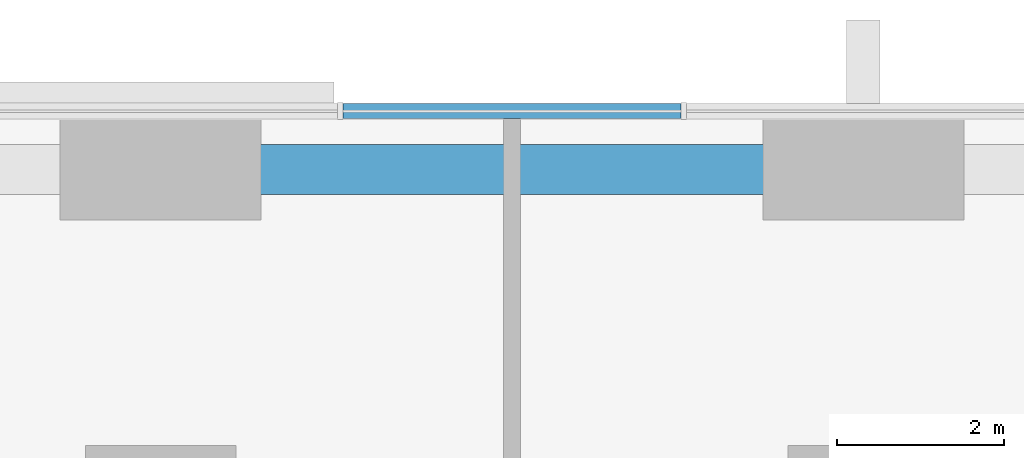
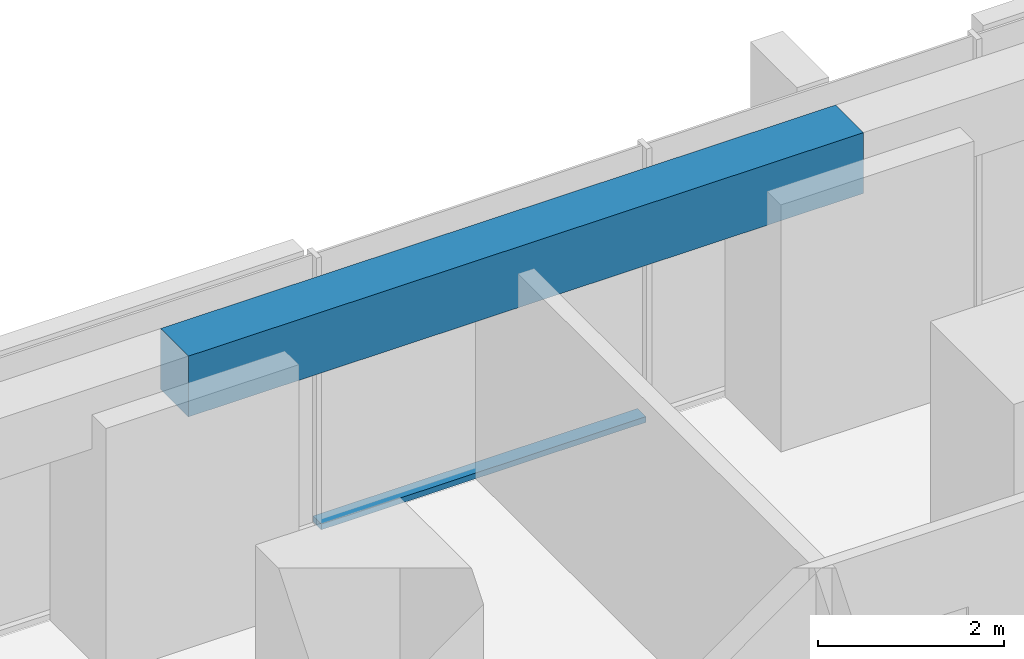
# One storey, part 7 of 17: 1 beam, 1 member, 1 element without a shape of its own.
"""IFC4 building model written with IfcOpenShell, lengths in metres."""

from ifc_helpers import new_model, si_unit, direction, frame, origin, origin_2d, place, context, subcontext, project, spatial, rectangle, extrude, material, material_profile, profile_set, type_object, element, aggregate, save


model = new_model("IFC4")

# Units and contexts
model_context = context("Model", 3, precision=1e-05, world=origin(), true_north=direction((0.0, 1.0)))
body_context = subcontext(model_context, "Body", "Model", "MODEL_VIEW")
ifc_project = project(units=[si_unit("LENGTHUNIT", "METRE"), si_unit("AREAUNIT", "SQUARE_METRE"), si_unit("VOLUMEUNIT", "CUBIC_METRE"), si_unit("PLANEANGLEUNIT", "RADIAN"), si_unit("MASSUNIT", "GRAM", prefix="KILO")], contexts=[model_context])

# Site, building, storey
site_placement = place(None, origin())
site = spatial("IfcSite", under=ifc_project, at=site_placement, CompositionType="ELEMENT")
building_placement = place(site_placement, origin())
building = spatial("IfcBuilding", under=site, at=building_placement, Name="Dunama Terrace Hotel", CompositionType="ELEMENT")
storey_placement = place(building_placement, frame((0.0, 0.0, 41.39990234375)))
storey = spatial("IfcBuildingStorey", under=building, at=storey_placement, Name="L09", CompositionType="ELEMENT", Elevation=41.39990234375)

# Curtain wall, member
ifc_material_1 = material(Name="Aluminium curtain wall system", Category="aluminium")
curtain_wall_type = type_object("IfcCurtainWallType", Name="Unitised fritted glass wall CW-A", PredefinedType="NOTDEFINED", material=ifc_material_1)
curtain_wall_placement = place(storey_placement, origin())
curtain_wall = element("IfcCurtainWall", 1, at=curtain_wall_placement, inside=storey, type_object=curtain_wall_type, Name="Unitised fritted glass wall CW-A L09", PredefinedType="NOTDEFINED")
ifc_material_2 = material(Name="Aluminium transom", Category="aluminium")
ifc_material_profile_1 = material_profile(ifc_material_2, rectangle(XDim=0.179931640625, YDim=0.074951171875, at=origin_2d()), Name="CWA TRANSOM 180X75")
ifc_profile_set_1 = profile_set([ifc_material_profile_1], Name="Aluminium transom")
member_type = type_object("IfcMemberType", Name="CWA transom 180x75", PredefinedType="USERDEFINED", material=ifc_profile_set_1)
member_placement = place(storey_placement, frame((31.4208984375, 58.89990234375, 0.03759765625), z_axis=(-1.0, 0.0, 0.0), x_axis=(0.0, -1.0, 0.0)))
member = element("IfcMember", 2, at=member_placement, type_object=member_type, Name="CWA transom", ObjectType="TRANSOM", PredefinedType="USERDEFINED", context=body_context, shape_type="SweptSolid", body=[
    extrude(rectangle(XDim=0.179931640625, YDim=0.074951171875, at=origin_2d()), origin(), (0.0, 0.0, 1.0), 4.0419921875),
])
aggregate(curtain_wall, [member])

# Beam
ifc_material_3 = material(Name="Concrete C40/50", Category="concrete")
ifc_material_profile_2 = material_profile(ifc_material_3, rectangle(XDim=0.60009765625, YDim=0.800048828125, at=origin_2d()), Name="RC 600x800")
ifc_profile_set_2 = profile_set([ifc_material_profile_2], Name="Concrete C40/50")
beam_type = type_object("IfcBeamType", Name="Edge beam RC 600x800", PredefinedType="SPANDREL", material=ifc_profile_set_2)
beam_placement = place(storey_placement, frame((25.199951171875, 58.199951171875, 3.2001953125), z_axis=(1.0, 0.0, 0.0), x_axis=(0.0, 1.0, 0.0)))
element("IfcBeam", 3, at=beam_placement, inside=storey, type_object=beam_type, Name="Edge beam under L10", PredefinedType="SPANDREL", context=body_context, shape_type="SweptSolid", body=[
    extrude(rectangle(XDim=0.60009765625, YDim=0.800048828125, at=origin_2d()), origin(), (0.0, 0.0, 1.0), 8.400146484375),
])

save(model, "model.ifc")
